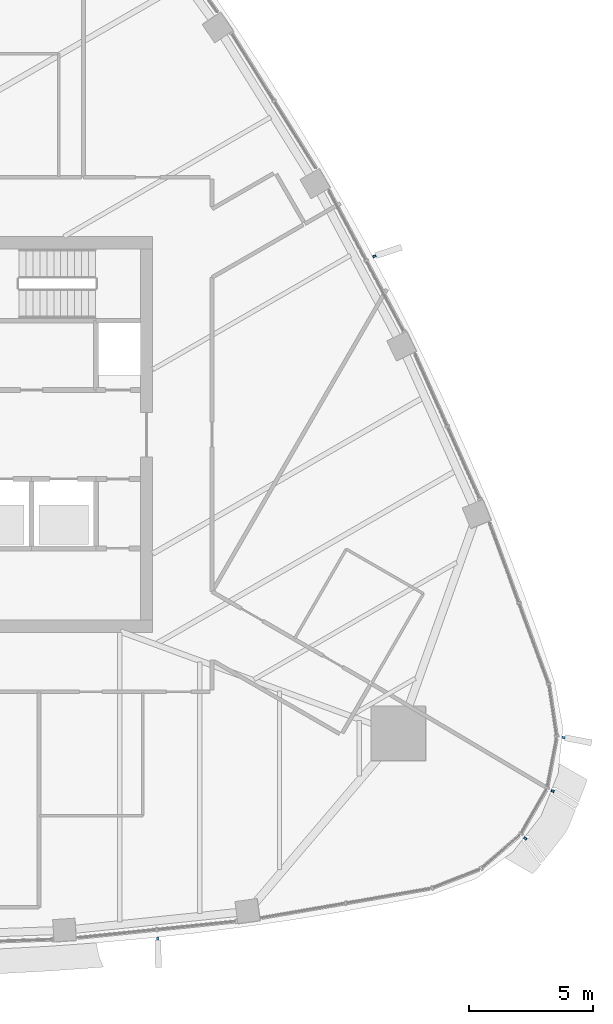
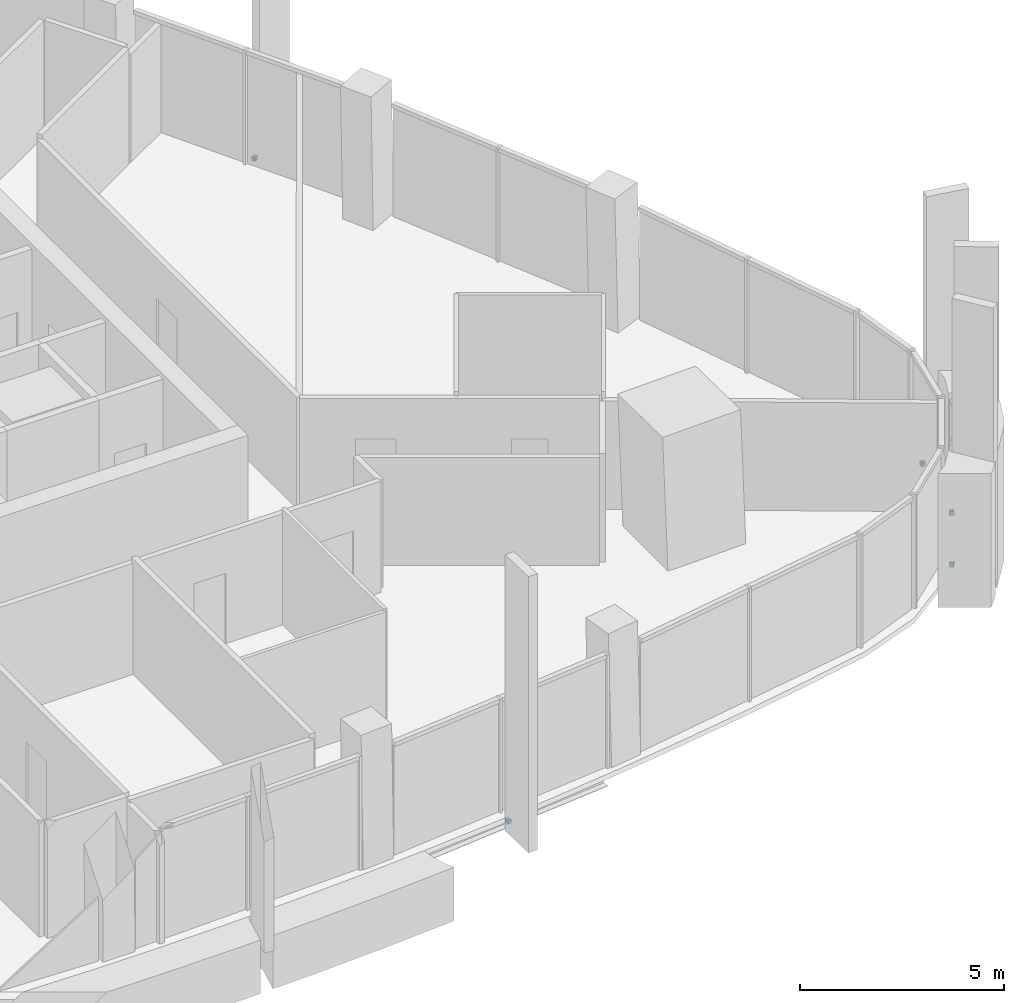
# One storey, part 13 of 18: 5 discrete accessories.
"""IFC4 building model written with IfcOpenShell, lengths in metres."""

from ifc_helpers import new_model, si_unit, direction, frame, origin, origin_2d, place, context, subcontext, project, spatial, rectangle, extrude, material, type_object, element, save


model = new_model("IFC4")

# Units and contexts
model_context = context("Model", 3, precision=1e-05, world=origin(), true_north=direction((0.0, 1.0)))
body_context = subcontext(model_context, "Body", "Model", "MODEL_VIEW")
ifc_project = project(units=[si_unit("LENGTHUNIT", "METRE"), si_unit("AREAUNIT", "SQUARE_METRE"), si_unit("VOLUMEUNIT", "CUBIC_METRE"), si_unit("PLANEANGLEUNIT", "RADIAN"), si_unit("MASSUNIT", "GRAM", prefix="KILO")], contexts=[model_context])

# Site, building, storey
site_placement = place(None, origin())
site = spatial("IfcSite", under=ifc_project, at=site_placement, CompositionType="ELEMENT")
building_placement = place(site_placement, origin())
building = spatial("IfcBuilding", under=site, at=building_placement, Name="Sierra Prisma Convention Tower", CompositionType="ELEMENT")
storey_placement = place(building_placement, frame((0.0, 0.0, 279.0)))
storey = spatial("IfcBuildingStorey", under=building, at=storey_placement, Name="L63", CompositionType="ELEMENT", Elevation=279.0)

# Discrete accessories
ifc_material = material(Name="Stainless steel 316", Category="steel")
discrete_accessory_type = type_object("IfcDiscreteAccessoryType", Name="Fin bracket", PredefinedType="BRACKET", material=ifc_material)
for number, where, z_axis, x_axis, name in (
    (1, (11.201171875, -20.37451171875, -0.135009765625), (0.0, 0.0, 1.0), (0.10731999754, -0.994224531043, 0.0), "Fin bracket L63.14 base"),
    (2, (26.0625, -16.3203125, -0.135009765625), (0.0, 0.0, 1.0), (0.787667304095, -0.616100818097, 0.0), "Fin bracket L63.20 base"),
    (3, (27.1650390625, -14.41064453125, -0.135009765625), (0.0, 0.0, 1.0), (0.927392611812, -0.374089486028, 0.0), "Fin bracket L63.21 base"),
    (4, (27.59912109375, -12.246826171875, -0.135009765625), (0.0, 0.0, 1.0), (0.994695376161, -0.102864515964, 0.0), "Fin bracket L63.22 base"),
    (5, (19.9580078125, 7.203369140625, -0.135009765625), (0.0, 0.0, 1.0), (0.883386526531, 0.468645115992, 0.0), "Fin bracket L63.30 base"),
):
    element("IfcDiscreteAccessory", number, at=place(storey_placement, frame(where, z_axis=z_axis, x_axis=x_axis)), inside=storey, type_object=discrete_accessory_type, Name=name, PredefinedType="BRACKET", context=body_context, shape_type="SweptSolid", body=[
        extrude(rectangle(XDim=0.1201171875, YDim=0.10009765625, at=origin_2d()), origin(), (0.0, 0.0, 1.0), 0.1201171875),
    ])

save(model, "model.ifc")
